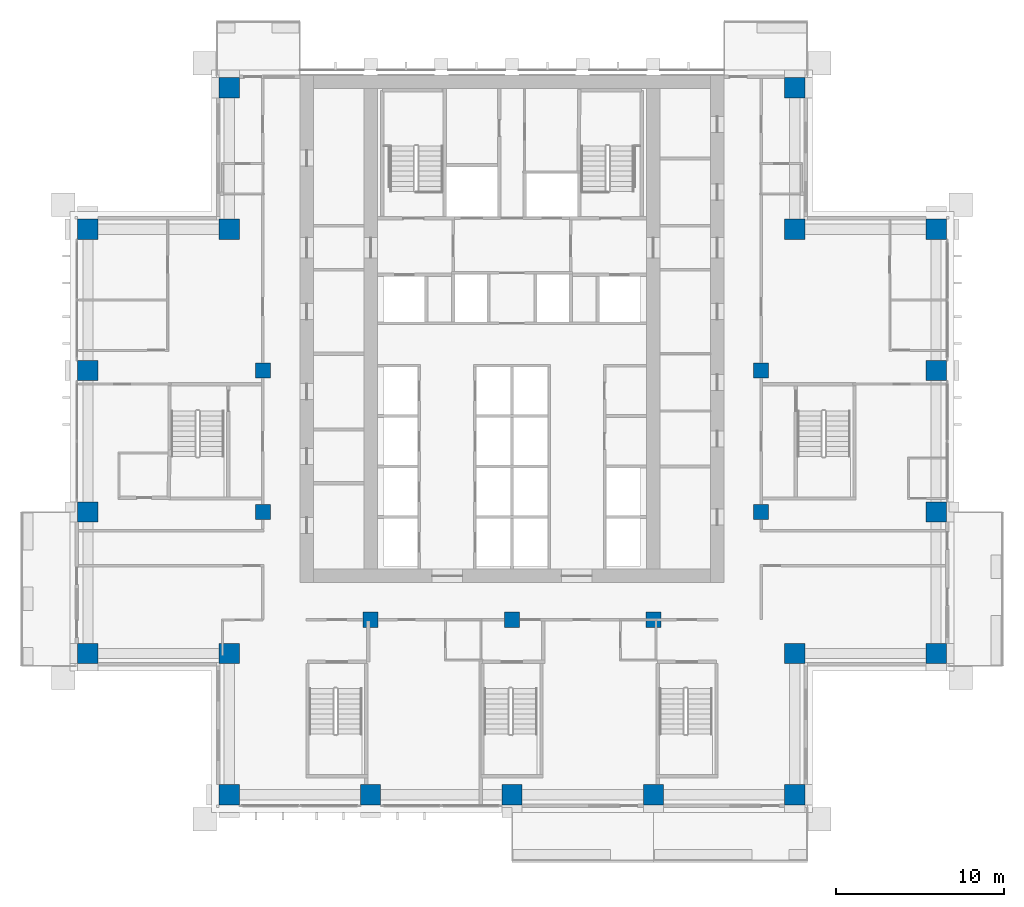
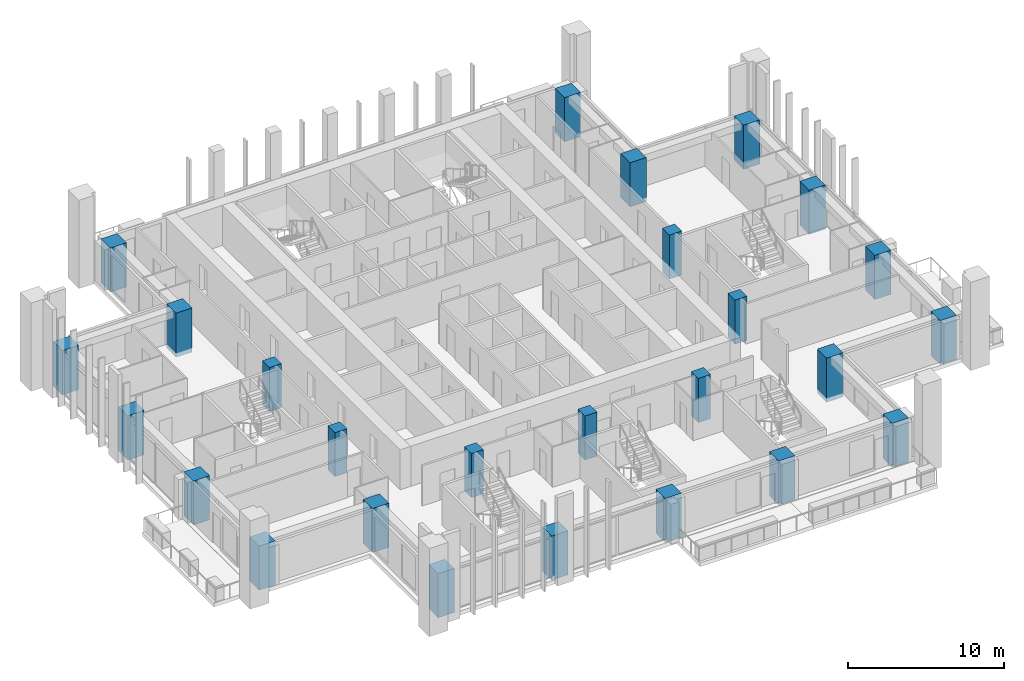
# One storey, part 1 of 19: 26 columns.
"""IFC4 building model written with IfcOpenShell, lengths in metres."""

from ifc_helpers import new_model, si_unit, direction, frame, origin, origin_2d, place, context, subcontext, project, spatial, rectangle, extrude, material, material_profile, profile_set, type_object, element, save


model = new_model("IFC4")

# Units and contexts
model_context = context("Model", 3, precision=1e-05, world=origin(), true_north=direction((0.0, 1.0)))
body_context = subcontext(model_context, "Body", "Model", "MODEL_VIEW")
ifc_project = project(units=[si_unit("LENGTHUNIT", "METRE"), si_unit("AREAUNIT", "SQUARE_METRE"), si_unit("VOLUMEUNIT", "CUBIC_METRE"), si_unit("PLANEANGLEUNIT", "RADIAN"), si_unit("MASSUNIT", "GRAM", prefix="KILO")], contexts=[model_context])

# Site, building, storey
site_placement = place(None, origin())
site = spatial("IfcSite", under=ifc_project, at=site_placement, CompositionType="ELEMENT")
building_placement = place(site_placement, origin())
building = spatial("IfcBuilding", under=site, at=building_placement, Name="Vermilion Ogive Tower", CompositionType="ELEMENT")
storey_placement = place(building_placement, frame((0.0, 0.0, 90.75)))
storey = spatial("IfcBuildingStorey", under=building, at=storey_placement, Name="L22", CompositionType="ELEMENT", Elevation=90.75)

# Columns
ifc_material_1 = material(Name="Concrete B80", Category="concrete")
ifc_material_profile_1 = material_profile(ifc_material_1, rectangle(XDim=1.199951171875, YDim=1.199951171875, at=origin_2d()), Name="1200 x 1200")
ifc_profile_set_1 = profile_set([ifc_material_profile_1], Name="Concrete B80")
column_type_1 = type_object("IfcColumnType", Name="Perimeter column 1200 x 1200 B80", PredefinedType="COLUMN", material=ifc_profile_set_1)
for number, where, z_axis, x_axis, name in (
    (1, (-16.800048828125, -21.0, -0.320068359375), (0.0, 0.0, 1.0), (1.0, 0.0, 0.0), "COL-L22-P-0168-210"),
    (2, (-8.39990234375, -21.0, -0.320068359375), (0.0, 0.0, 1.0), (1.0, 0.0, 0.0), "COL-L22-P-0084-210"),
    (3, (0.0, -21.0, -0.320068359375), (0.0, 0.0, 1.0), (1.0, 0.0, 0.0), "COL-L22-P+0000-210"),
    (4, (8.39990234375, -21.0, -0.320068359375), (0.0, 0.0, 1.0), (1.0, 0.0, 0.0), "COL-L22-P+0084-210"),
    (5, (16.800048828125, -21.0, -0.320068359375), (0.0, 0.0, 1.0), (1.0, 0.0, 0.0), "COL-L22-P+0168-210"),
    (6, (-25.199951171875, -12.60009765625, -0.320068359375), (0.0, 0.0, 1.0), (1.0, 0.0, 0.0), "COL-L22-P-0252-126"),
    (7, (-16.800048828125, -12.60009765625, -0.320068359375), (0.0, 0.0, 1.0), (1.0, 0.0, 0.0), "COL-L22-P-0168-126"),
    (8, (16.800048828125, -12.60009765625, -0.320068359375), (0.0, 0.0, 1.0), (1.0, 0.0, 0.0), "COL-L22-P+0168-126"),
    (9, (25.199951171875, -12.60009765625, -0.320068359375), (0.0, 0.0, 1.0), (1.0, 0.0, 0.0), "COL-L22-P+0252-126"),
    (10, (-25.199951171875, -4.199951171875, -0.320068359375), (0.0, 0.0, 1.0), (1.0, 0.0, 0.0), "COL-L22-P-0252-042"),
    (11, (25.199951171875, -4.199951171875, -0.320068359375), (0.0, 0.0, 1.0), (1.0, 0.0, 0.0), "COL-L22-P+0252-042"),
    (12, (-25.199951171875, 4.199951171875, -0.320068359375), (0.0, 0.0, 1.0), (1.0, 0.0, 0.0), "COL-L22-P-0252+042"),
    (13, (25.199951171875, 4.199951171875, -0.320068359375), (0.0, 0.0, 1.0), (1.0, 0.0, 0.0), "COL-L22-P+0252+042"),
    (14, (-25.199951171875, 12.60009765625, -0.320068359375), (0.0, 0.0, 1.0), (1.0, 0.0, 0.0), "COL-L22-P-0252+126"),
    (15, (-16.800048828125, 12.60009765625, -0.320068359375), (0.0, 0.0, 1.0), (1.0, 0.0, 0.0), "COL-L22-P-0168+126"),
    (16, (16.800048828125, 12.60009765625, -0.320068359375), (0.0, 0.0, 1.0), (1.0, 0.0, 0.0), "COL-L22-P+0168+126"),
    (17, (25.199951171875, 12.60009765625, -0.320068359375), (0.0, 0.0, 1.0), (1.0, 0.0, 0.0), "COL-L22-P+0252+126"),
    (18, (-16.800048828125, 21.0, -0.320068359375), (0.0, 0.0, 1.0), (1.0, 0.0, 0.0), "COL-L22-P-0168+210"),
    (19, (16.800048828125, 21.0, -0.320068359375), (0.0, 0.0, 1.0), (1.0, 0.0, 0.0), "COL-L22-P+0168+210"),
):
    element("IfcColumn", number, at=place(storey_placement, frame(where, z_axis=z_axis, x_axis=x_axis)), inside=storey, type_object=column_type_1, Name=name, PredefinedType="COLUMN", context=body_context, shape_type="SweptSolid", body=[
        extrude(rectangle(XDim=1.199951171875, YDim=1.199951171875, at=origin_2d()), origin(), (0.0, 0.0, 1.0), 3.449951171875),
    ])
ifc_material_2 = material(Name="Concrete B80", Category="concrete")
ifc_material_profile_2 = material_profile(ifc_material_2, rectangle(XDim=0.89990234375, YDim=0.89990234375, at=origin_2d()), Name="900 x 900")
ifc_profile_set_2 = profile_set([ifc_material_profile_2], Name="Concrete B80")
column_type_2 = type_object("IfcColumnType", Name="Ring column 900 x 900 B80", PredefinedType="COLUMN", material=ifc_profile_set_2)
for number, where, z_axis, x_axis, name in (
    (20, (-8.39990234375, -10.60009765625, -0.320068359375), (0.0, 0.0, 1.0), (1.0, 0.0, 0.0), "COL-L22-R-0084-106"),
    (21, (0.0, -10.60009765625, -0.320068359375), (0.0, 0.0, 1.0), (1.0, 0.0, 0.0), "COL-L22-R+0000-106"),
    (22, (8.39990234375, -10.60009765625, -0.320068359375), (0.0, 0.0, 1.0), (1.0, 0.0, 0.0), "COL-L22-R+0084-106"),
    (23, (-14.800048828125, -4.199951171875, -0.320068359375), (0.0, 0.0, 1.0), (1.0, 0.0, 0.0), "COL-L22-R-0148-042"),
    (24, (14.800048828125, -4.199951171875, -0.320068359375), (0.0, 0.0, 1.0), (1.0, 0.0, 0.0), "COL-L22-R+0148-042"),
    (25, (-14.800048828125, 4.199951171875, -0.320068359375), (0.0, 0.0, 1.0), (1.0, 0.0, 0.0), "COL-L22-R-0148+042"),
    (26, (14.800048828125, 4.199951171875, -0.320068359375), (0.0, 0.0, 1.0), (1.0, 0.0, 0.0), "COL-L22-R+0148+042"),
):
    element("IfcColumn", number, at=place(storey_placement, frame(where, z_axis=z_axis, x_axis=x_axis)), inside=storey, type_object=column_type_2, Name=name, PredefinedType="COLUMN", context=body_context, shape_type="SweptSolid", body=[
        extrude(rectangle(XDim=0.89990234375, YDim=0.89990234375, at=origin_2d()), origin(), (0.0, 0.0, 1.0), 3.449951171875),
    ])

save(model, "model.ifc")
